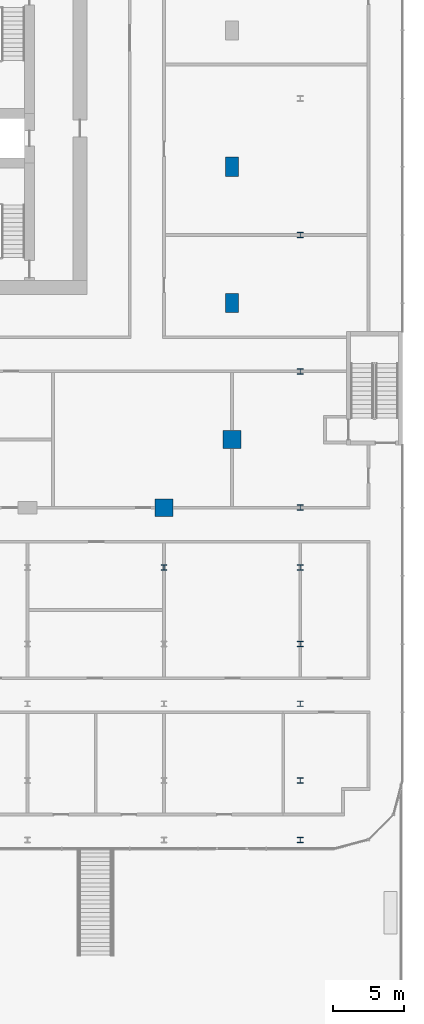
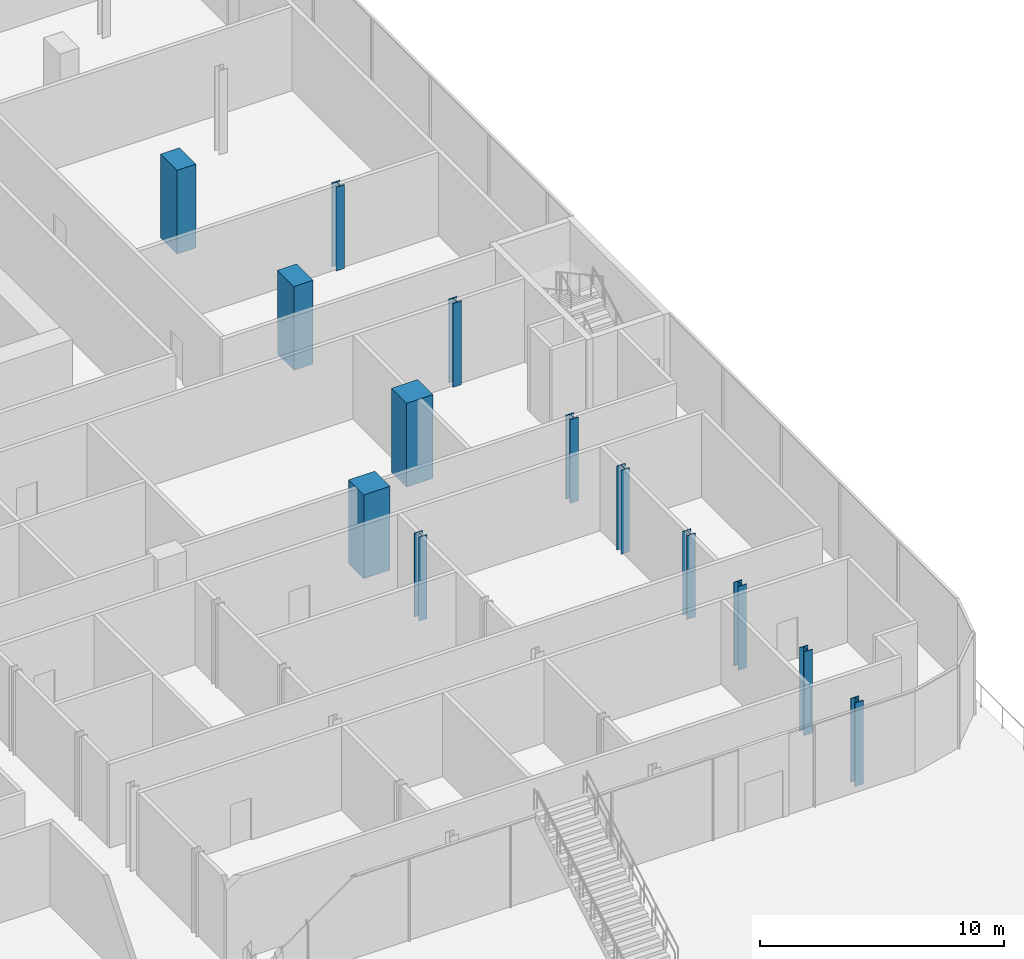
# One storey, part 3 of 43: 13 columns.
"""IFC4 building model written with IfcOpenShell, lengths in metres."""

from ifc_helpers import new_model, si_unit, direction, frame, origin, origin_2d, place, context, subcontext, project, spatial, rectangle, i_section, extrude, material, material_profile, profile_set, type_object, element, save


model = new_model("IFC4")

# Units and contexts
model_context = context("Model", 3, precision=1e-05, world=origin(), true_north=direction((0.0, 1.0)))
body_context = subcontext(model_context, "Body", "Model", "MODEL_VIEW")
ifc_project = project(units=[si_unit("LENGTHUNIT", "METRE"), si_unit("AREAUNIT", "SQUARE_METRE"), si_unit("VOLUMEUNIT", "CUBIC_METRE"), si_unit("PLANEANGLEUNIT", "RADIAN"), si_unit("MASSUNIT", "GRAM", prefix="KILO")], contexts=[model_context])

# Site, building, storey
site_placement = place(None, origin())
site = spatial("IfcSite", under=ifc_project, at=site_placement, CompositionType="ELEMENT")
building_placement = place(site_placement, origin())
building = spatial("IfcBuilding", under=site, at=building_placement, Name="Madar Terraces", CompositionType="ELEMENT")
storey_placement = place(building_placement, frame((0.0, 0.0, 10.5)))
storey = spatial("IfcBuildingStorey", under=building, at=storey_placement, Name="L02", CompositionType="ELEMENT", Elevation=10.5)

# Columns
ifc_material_1 = material(Name="Concrete C80/95", Category="concrete")
ifc_material_profile_1 = material_profile(ifc_material_1, rectangle(XDim=1.35009765625, YDim=0.89990234375, at=origin_2d()), Name="CC1 RC 1350x900")
ifc_profile_set_1 = profile_set([ifc_material_profile_1], Name="Concrete C80/95")
column_type_1 = type_object("IfcColumnType", Name="CC1 RC 1350x900", PredefinedType="COLUMN", material=ifc_profile_set_1)
for number, where, z_axis, x_axis, name in (
    (1, (57.60009765625, 14.39990234375, 0.0), (0.0, 0.0, 1.0), (0.0, 1.0, 0.0), "Perimeter column E2"),
    (2, (57.60009765625, 24.0, 0.0), (0.0, 0.0, 1.0), (0.0, 1.0, 0.0), "Perimeter column E3"),
):
    element("IfcColumn", number, at=place(storey_placement, frame(where, z_axis=z_axis, x_axis=x_axis)), inside=storey, type_object=column_type_1, Name=name, PredefinedType="COLUMN", context=body_context, shape_type="SweptSolid", body=[
        extrude(rectangle(XDim=1.35009765625, YDim=0.89990234375, at=origin_2d()), origin(), (0.0, 0.0, 1.0), 4.199951171875),
    ])
ifc_material_2 = material(Name="Concrete C80/95", Category="concrete")
ifc_material_profile_2 = material_profile(ifc_material_2, rectangle(XDim=1.25, YDim=1.25, at=origin_2d()), Name="KC1 RC 1250x1250")
ifc_profile_set_2 = profile_set([ifc_material_profile_2], Name="Concrete C80/95")
column_type_2 = type_object("IfcColumnType", Name="KC1 RC 1250x1250", PredefinedType="COLUMN", material=ifc_profile_set_2)
for number, where, z_axis, x_axis, name in (
    (3, (52.800048828125, 0.0, 0.0), (0.0, 0.0, 1.0), (1.0, 0.0, 0.0), "Perimeter column S6"),
    (4, (57.60009765625, 4.800048828125, 0.0), (0.0, 0.0, 1.0), (1.0, 0.0, 0.0), "Perimeter column E1"),
):
    element("IfcColumn", number, at=place(storey_placement, frame(where, z_axis=z_axis, x_axis=x_axis)), inside=storey, type_object=column_type_2, Name=name, PredefinedType="COLUMN", context=body_context, shape_type="SweptSolid", body=[
        extrude(rectangle(XDim=1.25, YDim=1.25, at=origin_2d()), origin(), (0.0, 0.0, 1.0), 4.199951171875),
    ])
ifc_material_3 = material(Name="Steel ASTM A992 Grade 50", Category="steel")
ifc_material_profile_3 = material_profile(ifc_material_3, i_section(OverallWidth=0.396240234375, OverallDepth=0.381103515625, WebThickness=0.01904296875, FlangeThickness=0.0302734375, at=origin_2d()), Name="W14x159")
ifc_profile_set_3 = profile_set([ifc_material_profile_3], Name="Steel ASTM A992 Grade 50")
column_type_3 = type_object("IfcColumnType", Name="PC2 W14x159", PredefinedType="COLUMN", material=ifc_profile_set_3)
for number, where, z_axis, x_axis, name in (
    (5, (52.800048828125, -4.199951171875, 0.0), (0.0, 0.0, 1.0), (1.0, 0.0, 0.0), "Podium column PC2"),
    (6, (62.39990234375, -23.39990234375, 0.0), (0.0, 0.0, 1.0), (1.0, 0.0, 0.0), "Podium column PC2"),
    (7, (62.39990234375, -19.199951171875, 0.0), (0.0, 0.0, 1.0), (1.0, 0.0, 0.0), "Podium column PC2"),
    (8, (62.39990234375, -13.800048828125, 0.0), (0.0, 0.0, 1.0), (1.0, 0.0, 0.0), "Podium column PC2"),
    (9, (62.39990234375, -9.60009765625, 0.0), (0.0, 0.0, 1.0), (1.0, 0.0, 0.0), "Podium column PC2"),
    (10, (62.39990234375, -4.199951171875, 0.0), (0.0, 0.0, 1.0), (1.0, 0.0, 0.0), "Podium column PC2"),
    (11, (62.39990234375, 0.0, 0.0), (0.0, 0.0, 1.0), (1.0, 0.0, 0.0), "Podium column PC2"),
    (12, (62.39990234375, 9.60009765625, 0.0), (0.0, 0.0, 1.0), (1.0, 0.0, 0.0), "Podium column PC2"),
    (13, (62.39990234375, 19.199951171875, 0.0), (0.0, 0.0, 1.0), (1.0, 0.0, 0.0), "Podium column PC2"),
):
    element("IfcColumn", number, at=place(storey_placement, frame(where, z_axis=z_axis, x_axis=x_axis)), inside=storey, type_object=column_type_3, Name=name, PredefinedType="COLUMN", context=body_context, shape_type="SweptSolid", body=[
        extrude(i_section(OverallWidth=0.396240234375, OverallDepth=0.381103515625, WebThickness=0.01904296875, FlangeThickness=0.0302734375, at=origin_2d()), origin(), (0.0, 0.0, 1.0), 4.199951171875),
    ])

save(model, "model.ifc")
